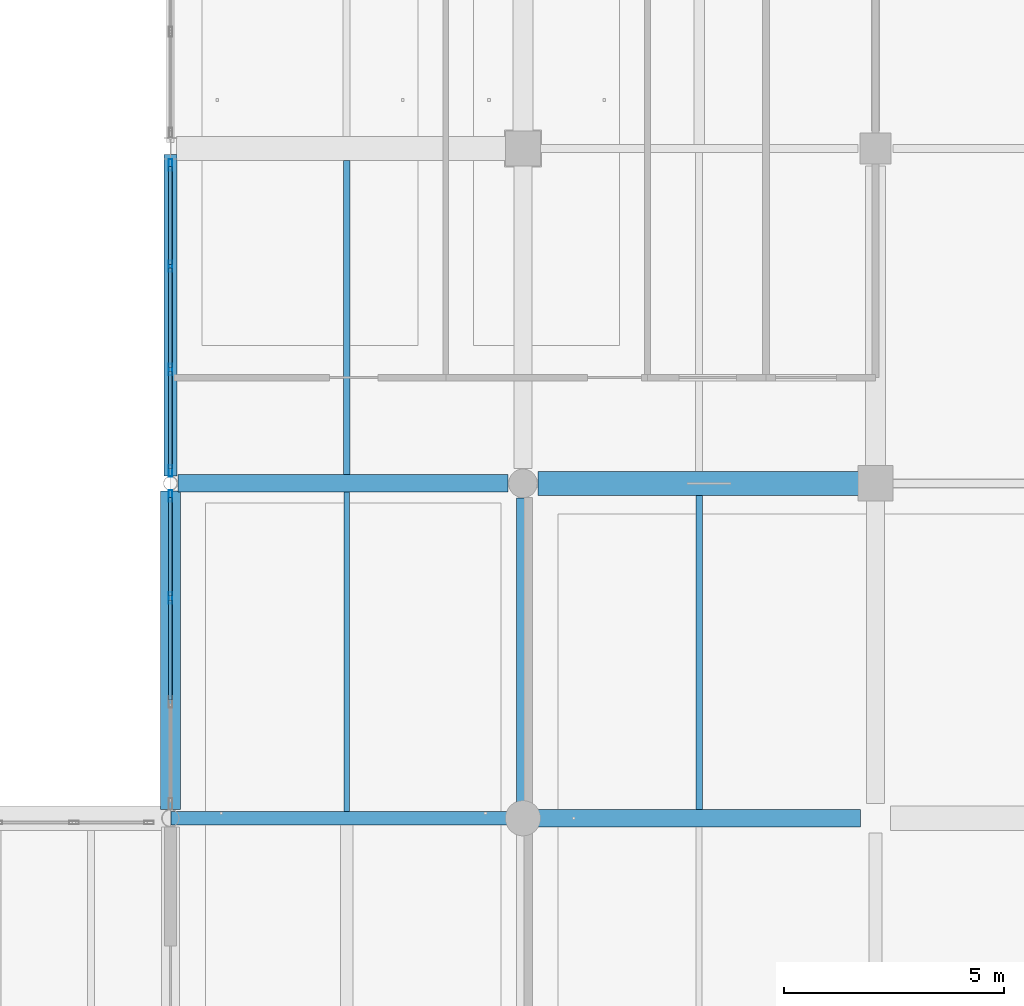
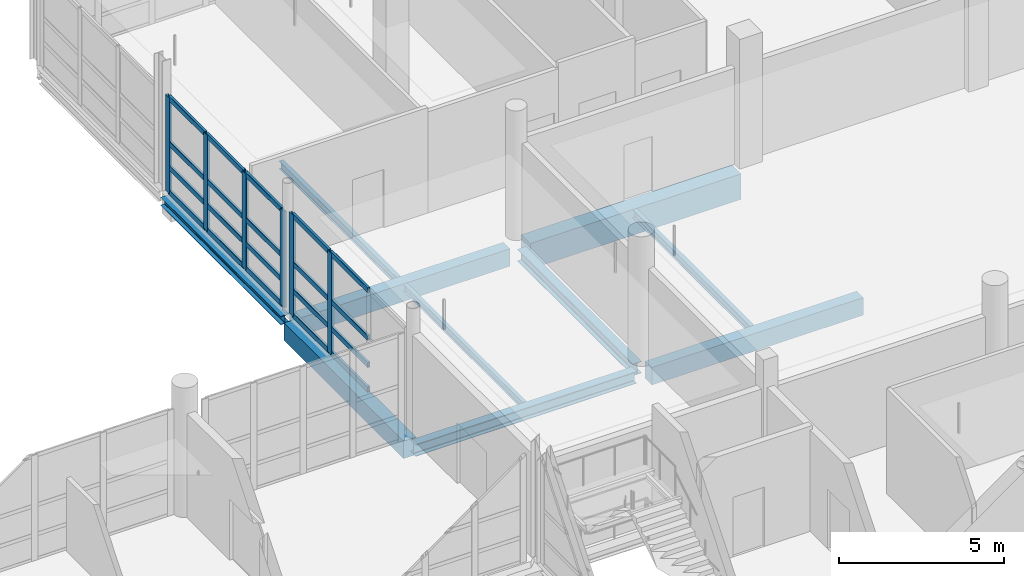
# One storey, part 48 of 141: 26 members, 10 beams, 2 elements without a shape of their own.
"""IFC4 building model written with IfcOpenShell, lengths in metres."""

from ifc_helpers import new_model, si_unit, direction, frame, origin, origin_2d, place, context, subcontext, project, spatial, rectangle, hollow_rectangle, i_section, extrude, material, material_profile, profile_set, type_object, element, aggregate, save


model = new_model("IFC4")

# Units and contexts
model_context = context("Model", 3, precision=1e-05, world=origin(), true_north=direction((0.0, 1.0)))
body_context = subcontext(model_context, "Body", "Model", "MODEL_VIEW")
ifc_project = project(units=[si_unit("LENGTHUNIT", "METRE"), si_unit("AREAUNIT", "SQUARE_METRE"), si_unit("VOLUMEUNIT", "CUBIC_METRE"), si_unit("PLANEANGLEUNIT", "RADIAN"), si_unit("MASSUNIT", "GRAM", prefix="KILO")], contexts=[model_context])

# Site, building, storey
site_placement = place(None, origin())
site = spatial("IfcSite", under=ifc_project, at=site_placement, CompositionType="ELEMENT")
building_placement = place(site_placement, origin())
building = spatial("IfcBuilding", under=site, at=building_placement, Name="Khelvaren Railside Concert Hall", CompositionType="ELEMENT")
storey_placement = place(building_placement, frame((0.0, 0.0, 10.199951171875)))
storey = spatial("IfcBuildingStorey", under=building, at=storey_placement, Name="L02", CompositionType="ELEMENT", Elevation=10.199951171875)

# Beams
ifc_material_1 = material(Name="Concrete C40/50", Category="concrete")
ifc_material_profile_1 = material_profile(ifc_material_1, rectangle(XDim=0.39990234375, YDim=0.64990234375, at=origin_2d()), Name="RCB 400x650")
ifc_profile_set_1 = profile_set([ifc_material_profile_1], Name="Concrete C40/50")
beam_type_1 = type_object("IfcBeamType", Name="BM33", PredefinedType="BEAM", material=ifc_profile_set_1)
beam_1_placement = place(storey_placement, frame((152.25, 15.199951171875, -0.614990234375), z_axis=(1.0, 0.0, 0.0), x_axis=(0.0, 1.0, 0.0)))
element("IfcBeam", 1, at=beam_1_placement, inside=storey, type_object=beam_type_1, Name="V2 L02 Beam X3.2", PredefinedType="BEAM", context=body_context, shape_type="SweptSolid", body=[
    extrude(rectangle(XDim=0.39990234375, YDim=0.64990234375, at=origin_2d()), origin(), (0.0, 0.0, 1.0), 7.4140625),
])
beam_2_placement = place(storey_placement, frame((144.170654296875, 22.800048828125, -0.614990234375), z_axis=(1.0, 0.0, 0.0), x_axis=(0.0, 1.0, 0.0)))
element("IfcBeam", 2, at=beam_2_placement, inside=storey, type_object=beam_type_1, Name="V2 L02 Beam X4.1", PredefinedType="BEAM", context=body_context, shape_type="SweptSolid", body=[
    extrude(rectangle(XDim=0.39990234375, YDim=0.64990234375, at=origin_2d()), origin(), (0.0, 0.0, 1.0), 7.493408203125),
])
ifc_material_2 = material(Name="Steel S355", Category="steel")
ifc_material_profile_2 = material_profile(ifc_material_2, i_section(OverallWidth=0.300048828125, OverallDepth=0.43994140625, WebThickness=0.011474609375, FlangeThickness=0.02099609375, FilletRadius=0.027099609375, at=origin_2d()), Name="HEA 450")
ifc_profile_set_2 = profile_set([ifc_material_profile_2], Name="Steel S355")
beam_type_2 = type_object("IfcBeamType", Name="BM89", PredefinedType="BEAM", material=ifc_profile_set_2)
beam_3_placement = place(storey_placement, frame((144.010009765625, 15.199951171875, -0.510009765625), z_axis=(1.0, 0.0, 0.0), x_axis=(0.0, 1.0, 0.0)))
element("IfcBeam", 3, at=beam_3_placement, inside=storey, type_object=beam_type_2, Name="V2 L02 Beam X3.1", PredefinedType="BEAM", context=body_context, shape_type="SweptSolid", body=[
    extrude(i_section(OverallWidth=0.300048828125, OverallDepth=0.43994140625, WebThickness=0.011474609375, FlangeThickness=0.02099609375, FilletRadius=0.027099609375, at=origin_2d()), origin(), (0.0, 0.0, 1.0), 7.739990234375),
])
beam_4_placement = place(storey_placement, frame((152.0, 15.449951171875, -0.510009765625), z_axis=(0.0, 1.0, 0.0), x_axis=(-1.0, 0.0, 0.0)))
element("IfcBeam", 4, at=beam_4_placement, inside=storey, type_object=beam_type_2, Name="V2 L02 Beam Y2.3", PredefinedType="BEAM", context=body_context, shape_type="SweptSolid", body=[
    extrude(i_section(OverallWidth=0.300048828125, OverallDepth=0.43994140625, WebThickness=0.011474609375, FlangeThickness=0.02099609375, FilletRadius=0.027099609375, at=origin_2d()), origin(), (0.0, 0.0, 1.0), 7.01416015625),
])

# Curtain wall, members
ifc_material_3 = material(Name="Acoustic laminated crystal facade glass", Category="glass")
curtain_wall_type_1 = type_object("IfcCurtainWallType", Name="CW54", PredefinedType="USERDEFINED", material=ifc_material_3)
curtain_wall_1_placement = place(storey_placement, origin())
curtain_wall_1 = element("IfcCurtainWall", 5, at=curtain_wall_1_placement, inside=storey, type_object=curtain_wall_type_1, Name="Unitised Curtain Wall CW-V2-L02-W-15", ObjectType="UNITISED CURTAIN WALL", PredefinedType="USERDEFINED")
ifc_material_4 = material(Name="Anodised architectural aluminium 6063-T6", Category="aluminium")
ifc_material_profile_3 = material_profile(ifc_material_4, hollow_rectangle(XDim=0.0849609375, YDim=0.260009765625, WallThickness=0.0048828125, InnerFilletRadius=0.0029296875, OuterFilletRadius=0.0048828125, at=origin_2d()), Name="CWM 85x260x5")
ifc_profile_set_3 = profile_set([ifc_material_profile_3], Name="Anodised architectural aluminium 6063-T6")
member_type_1 = type_object("IfcMemberType", Name="CWM40", PredefinedType="MULLION", material=ifc_profile_set_3)
member_1_placement = place(storey_placement, frame((144.0, 20.20068359375, 0.0), z_axis=(0.0, 0.0, 1.0), x_axis=(-1.0, 0.0, 0.0)))
member_1 = element("IfcMember", 6, at=member_1_placement, type_object=member_type_1, Name="CW54 mullion 3", PredefinedType="MULLION", context=body_context, shape_type="SweptSolid", body=[
    extrude(hollow_rectangle(XDim=0.0849609375, YDim=0.260009765625, WallThickness=0.0048828125, InnerFilletRadius=0.0029296875, OuterFilletRadius=0.0048828125, at=origin_2d()), origin(), (0.0, 0.0, 1.0), 3.760009765625),
])
member_2_placement = place(storey_placement, frame((144.0, 22.51806640625, 0.0), z_axis=(0.0, 0.0, 1.0), x_axis=(-1.0, 0.0, 0.0)))
member_2 = element("IfcMember", 7, at=member_2_placement, type_object=member_type_1, Name="CW54 mullion 4", PredefinedType="MULLION", context=body_context, shape_type="SweptSolid", body=[
    extrude(hollow_rectangle(XDim=0.0849609375, YDim=0.260009765625, WallThickness=0.0048828125, InnerFilletRadius=0.0029296875, OuterFilletRadius=0.0048828125, at=origin_2d()), origin(), (0.0, 0.0, 1.0), 3.760009765625),
])

curtain_wall_type_2 = type_object("IfcCurtainWallType", Name="CW66", PredefinedType="USERDEFINED", material=ifc_material_3)
curtain_wall_2_placement = place(storey_placement, origin())
curtain_wall_2 = element("IfcCurtainWall", 8, at=curtain_wall_2_placement, inside=storey, type_object=curtain_wall_type_2, Name="Unitised Curtain Wall CW-V2-L02-W-23", ObjectType="UNITISED CURTAIN WALL", PredefinedType="USERDEFINED")
member_3_placement = place(storey_placement, frame((144.0, 23.08203125, 0.0), z_axis=(0.0, 0.0, 1.0), x_axis=(-1.0, 0.0, 0.0)))
member_3 = element("IfcMember", 9, at=member_3_placement, type_object=member_type_1, Name="CW66 mullion 1", PredefinedType="MULLION", context=body_context, shape_type="SweptSolid", body=[
    extrude(hollow_rectangle(XDim=0.0849609375, YDim=0.260009765625, WallThickness=0.0048828125, InnerFilletRadius=0.0029296875, OuterFilletRadius=0.0048828125, at=origin_2d()), origin(), (0.0, 0.0, 1.0), 3.56005859375),
])
member_4_placement = place(storey_placement, frame((144.0, 25.3837890625, 0.0), z_axis=(0.0, 0.0, 1.0), x_axis=(-1.0, 0.0, 0.0)))
member_4 = element("IfcMember", 10, at=member_4_placement, type_object=member_type_1, Name="CW66 mullion 2", PredefinedType="MULLION", context=body_context, shape_type="SweptSolid", body=[
    extrude(hollow_rectangle(XDim=0.0849609375, YDim=0.260009765625, WallThickness=0.0048828125, InnerFilletRadius=0.0029296875, OuterFilletRadius=0.0048828125, at=origin_2d()), origin(), (0.0, 0.0, 1.0), 3.56005859375),
])
member_5_placement = place(storey_placement, frame((144.0, 27.728271484375, 0.0), z_axis=(0.0, 0.0, 1.0), x_axis=(-1.0, 0.0, 0.0)))
member_5 = element("IfcMember", 11, at=member_5_placement, type_object=member_type_1, Name="CW66 mullion 3", PredefinedType="MULLION", context=body_context, shape_type="SweptSolid", body=[
    extrude(hollow_rectangle(XDim=0.0849609375, YDim=0.260009765625, WallThickness=0.0048828125, InnerFilletRadius=0.0029296875, OuterFilletRadius=0.0048828125, at=origin_2d()), origin(), (0.0, 0.0, 1.0), 3.56005859375),
])
member_6_placement = place(storey_placement, frame((144.0, 30.030029296875, 0.0), z_axis=(0.0, 0.0, 1.0), x_axis=(-1.0, 0.0, 0.0)))
member_6 = element("IfcMember", 12, at=member_6_placement, type_object=member_type_1, Name="CW66 mullion 4", PredefinedType="MULLION", context=body_context, shape_type="SweptSolid", body=[
    extrude(hollow_rectangle(XDim=0.0849609375, YDim=0.260009765625, WallThickness=0.0048828125, InnerFilletRadius=0.0029296875, OuterFilletRadius=0.0048828125, at=origin_2d()), origin(), (0.0, 0.0, 1.0), 3.56005859375),
])

# Member
ifc_material_profile_4 = material_profile(ifc_material_4, hollow_rectangle(XDim=0.0849609375, YDim=0.18994140625, WallThickness=0.0048828125, InnerFilletRadius=0.0029296875, OuterFilletRadius=0.0048828125, at=origin_2d()), Name="CWT 85x190x5")
ifc_profile_set_4 = profile_set([ifc_material_profile_4], Name="Anodised architectural aluminium 6063-T6")
member_type_2 = type_object("IfcMemberType", Name="CWT31", PredefinedType="USERDEFINED", material=ifc_profile_set_4)
member_7_placement = place(storey_placement, frame((144.0, 17.883056640625, 0.04248046875), z_axis=(0.0, 1.0, 0.0), x_axis=(-1.0, 0.0, 0.0)))
member_7 = element("IfcMember", 13, at=member_7_placement, type_object=member_type_2, Name="CW54 transom 2.1", ObjectType="TRANSOM", PredefinedType="USERDEFINED", context=body_context, shape_type="SweptSolid", body=[
    extrude(hollow_rectangle(XDim=0.0849609375, YDim=0.18994140625, WallThickness=0.0048828125, InnerFilletRadius=0.0029296875, OuterFilletRadius=0.0048828125, at=origin_2d()), origin(), (0.0, 0.0, 1.0), 2.27490234375),
])

member_8_placement = place(storey_placement, frame((144.0, 17.883056640625, 0.949951171875), z_axis=(0.0, 1.0, 0.0), x_axis=(-1.0, 0.0, 0.0)))
member_8 = element("IfcMember", 14, at=member_8_placement, type_object=member_type_2, Name="CW54 transom 2.2", ObjectType="TRANSOM", PredefinedType="USERDEFINED", context=body_context, shape_type="SweptSolid", body=[
    extrude(hollow_rectangle(XDim=0.0849609375, YDim=0.18994140625, WallThickness=0.0048828125, InnerFilletRadius=0.0029296875, OuterFilletRadius=0.0048828125, at=origin_2d()), origin(), (0.0, 0.0, 1.0), 2.27490234375),
])

member_9_placement = place(storey_placement, frame((144.0, 17.883056640625, 1.955322265625), z_axis=(0.0, 1.0, 0.0), x_axis=(-1.0, 0.0, 0.0)))
member_9 = element("IfcMember", 15, at=member_9_placement, type_object=member_type_2, Name="CW54 transom 2.3", ObjectType="TRANSOM", PredefinedType="USERDEFINED", context=body_context, shape_type="SweptSolid", body=[
    extrude(hollow_rectangle(XDim=0.0849609375, YDim=0.18994140625, WallThickness=0.0048828125, InnerFilletRadius=0.0029296875, OuterFilletRadius=0.0048828125, at=origin_2d()), origin(), (0.0, 0.0, 1.0), 2.27490234375),
])

member_10_placement = place(storey_placement, frame((144.0, 17.883056640625, 3.717529296875), z_axis=(0.0, 1.0, 0.0), x_axis=(-1.0, 0.0, 0.0)))
member_10 = element("IfcMember", 16, at=member_10_placement, type_object=member_type_2, Name="CW54 transom 2.4", ObjectType="TRANSOM", PredefinedType="USERDEFINED", context=body_context, shape_type="SweptSolid", body=[
    extrude(hollow_rectangle(XDim=0.0849609375, YDim=0.18994140625, WallThickness=0.0048828125, InnerFilletRadius=0.0029296875, OuterFilletRadius=0.0048828125, at=origin_2d()), origin(), (0.0, 0.0, 1.0), 2.27490234375),
])

member_11_placement = place(storey_placement, frame((144.0, 20.2431640625, 0.04248046875), z_axis=(0.0, 1.0, 0.0), x_axis=(-1.0, 0.0, 0.0)))
member_11 = element("IfcMember", 17, at=member_11_placement, type_object=member_type_2, Name="CW54 transom 3.1", ObjectType="TRANSOM", PredefinedType="USERDEFINED", context=body_context, shape_type="SweptSolid", body=[
    extrude(hollow_rectangle(XDim=0.0849609375, YDim=0.18994140625, WallThickness=0.0048828125, InnerFilletRadius=0.0029296875, OuterFilletRadius=0.0048828125, at=origin_2d()), origin(), (0.0, 0.0, 1.0), 2.232421875),
])

member_12_placement = place(storey_placement, frame((144.0, 20.2431640625, 0.949951171875), z_axis=(0.0, 1.0, 0.0), x_axis=(-1.0, 0.0, 0.0)))
member_12 = element("IfcMember", 18, at=member_12_placement, type_object=member_type_2, Name="CW54 transom 3.2", ObjectType="TRANSOM", PredefinedType="USERDEFINED", context=body_context, shape_type="SweptSolid", body=[
    extrude(hollow_rectangle(XDim=0.0849609375, YDim=0.18994140625, WallThickness=0.0048828125, InnerFilletRadius=0.0029296875, OuterFilletRadius=0.0048828125, at=origin_2d()), origin(), (0.0, 0.0, 1.0), 2.232421875),
])

member_13_placement = place(storey_placement, frame((144.0, 20.2431640625, 1.955322265625), z_axis=(0.0, 1.0, 0.0), x_axis=(-1.0, 0.0, 0.0)))
member_13 = element("IfcMember", 19, at=member_13_placement, type_object=member_type_2, Name="CW54 transom 3.3", ObjectType="TRANSOM", PredefinedType="USERDEFINED", context=body_context, shape_type="SweptSolid", body=[
    extrude(hollow_rectangle(XDim=0.0849609375, YDim=0.18994140625, WallThickness=0.0048828125, InnerFilletRadius=0.0029296875, OuterFilletRadius=0.0048828125, at=origin_2d()), origin(), (0.0, 0.0, 1.0), 2.232421875),
])

member_14_placement = place(storey_placement, frame((144.0, 20.2431640625, 3.717529296875), z_axis=(0.0, 1.0, 0.0), x_axis=(-1.0, 0.0, 0.0)))
member_14 = element("IfcMember", 20, at=member_14_placement, type_object=member_type_2, Name="CW54 transom 3.4", ObjectType="TRANSOM", PredefinedType="USERDEFINED", context=body_context, shape_type="SweptSolid", body=[
    extrude(hollow_rectangle(XDim=0.0849609375, YDim=0.18994140625, WallThickness=0.0048828125, InnerFilletRadius=0.0029296875, OuterFilletRadius=0.0048828125, at=origin_2d()), origin(), (0.0, 0.0, 1.0), 2.232421875),
])

aggregate(curtain_wall_1, [member_1, member_2, member_7, member_8, member_9, member_10, member_11, member_12, member_13, member_14])

member_15_placement = place(storey_placement, frame((144.0, 23.12451171875, 0.04248046875), z_axis=(0.0, 1.0, 0.0), x_axis=(-1.0, 0.0, 0.0)))
member_15 = element("IfcMember", 21, at=member_15_placement, type_object=member_type_2, Name="CW66 transom 1.1", ObjectType="TRANSOM", PredefinedType="USERDEFINED", context=body_context, shape_type="SweptSolid", body=[
    extrude(hollow_rectangle(XDim=0.0849609375, YDim=0.18994140625, WallThickness=0.0048828125, InnerFilletRadius=0.0029296875, OuterFilletRadius=0.0048828125, at=origin_2d()), origin(), (0.0, 0.0, 1.0), 2.216796875),
])

member_16_placement = place(storey_placement, frame((144.0, 23.12451171875, 0.949951171875), z_axis=(0.0, 1.0, 0.0), x_axis=(-1.0, 0.0, 0.0)))
member_16 = element("IfcMember", 22, at=member_16_placement, type_object=member_type_2, Name="CW66 transom 1.2", ObjectType="TRANSOM", PredefinedType="USERDEFINED", context=body_context, shape_type="SweptSolid", body=[
    extrude(hollow_rectangle(XDim=0.0849609375, YDim=0.18994140625, WallThickness=0.0048828125, InnerFilletRadius=0.0029296875, OuterFilletRadius=0.0048828125, at=origin_2d()), origin(), (0.0, 0.0, 1.0), 2.216796875),
])

member_17_placement = place(storey_placement, frame((144.0, 23.12451171875, 1.851318359375), z_axis=(0.0, 1.0, 0.0), x_axis=(-1.0, 0.0, 0.0)))
member_17 = element("IfcMember", 23, at=member_17_placement, type_object=member_type_2, Name="CW66 transom 1.3", ObjectType="TRANSOM", PredefinedType="USERDEFINED", context=body_context, shape_type="SweptSolid", body=[
    extrude(hollow_rectangle(XDim=0.0849609375, YDim=0.18994140625, WallThickness=0.0048828125, InnerFilletRadius=0.0029296875, OuterFilletRadius=0.0048828125, at=origin_2d()), origin(), (0.0, 0.0, 1.0), 2.216796875),
])

member_18_placement = place(storey_placement, frame((144.0, 23.12451171875, 3.517578125), z_axis=(0.0, 1.0, 0.0), x_axis=(-1.0, 0.0, 0.0)))
member_18 = element("IfcMember", 24, at=member_18_placement, type_object=member_type_2, Name="CW66 transom 1.4", ObjectType="TRANSOM", PredefinedType="USERDEFINED", context=body_context, shape_type="SweptSolid", body=[
    extrude(hollow_rectangle(XDim=0.0849609375, YDim=0.18994140625, WallThickness=0.0048828125, InnerFilletRadius=0.0029296875, OuterFilletRadius=0.0048828125, at=origin_2d()), origin(), (0.0, 0.0, 1.0), 2.216796875),
])

member_19_placement = place(storey_placement, frame((144.0, 25.42626953125, 0.04248046875), z_axis=(0.0, 1.0, 0.0), x_axis=(-1.0, 0.0, 0.0)))
member_19 = element("IfcMember", 25, at=member_19_placement, type_object=member_type_2, Name="CW66 transom 2.1", ObjectType="TRANSOM", PredefinedType="USERDEFINED", context=body_context, shape_type="SweptSolid", body=[
    extrude(hollow_rectangle(XDim=0.0849609375, YDim=0.18994140625, WallThickness=0.0048828125, InnerFilletRadius=0.0029296875, OuterFilletRadius=0.0048828125, at=origin_2d()), origin(), (0.0, 0.0, 1.0), 2.25927734375),
])

member_20_placement = place(storey_placement, frame((144.0, 25.42626953125, 0.949951171875), z_axis=(0.0, 1.0, 0.0), x_axis=(-1.0, 0.0, 0.0)))
member_20 = element("IfcMember", 26, at=member_20_placement, type_object=member_type_2, Name="CW66 transom 2.2", ObjectType="TRANSOM", PredefinedType="USERDEFINED", context=body_context, shape_type="SweptSolid", body=[
    extrude(hollow_rectangle(XDim=0.0849609375, YDim=0.18994140625, WallThickness=0.0048828125, InnerFilletRadius=0.0029296875, OuterFilletRadius=0.0048828125, at=origin_2d()), origin(), (0.0, 0.0, 1.0), 2.25927734375),
])

member_21_placement = place(storey_placement, frame((144.0, 25.42626953125, 1.851318359375), z_axis=(0.0, 1.0, 0.0), x_axis=(-1.0, 0.0, 0.0)))
member_21 = element("IfcMember", 27, at=member_21_placement, type_object=member_type_2, Name="CW66 transom 2.3", ObjectType="TRANSOM", PredefinedType="USERDEFINED", context=body_context, shape_type="SweptSolid", body=[
    extrude(hollow_rectangle(XDim=0.0849609375, YDim=0.18994140625, WallThickness=0.0048828125, InnerFilletRadius=0.0029296875, OuterFilletRadius=0.0048828125, at=origin_2d()), origin(), (0.0, 0.0, 1.0), 2.25927734375),
])

member_22_placement = place(storey_placement, frame((144.0, 25.42626953125, 3.517578125), z_axis=(0.0, 1.0, 0.0), x_axis=(-1.0, 0.0, 0.0)))
member_22 = element("IfcMember", 28, at=member_22_placement, type_object=member_type_2, Name="CW66 transom 2.4", ObjectType="TRANSOM", PredefinedType="USERDEFINED", context=body_context, shape_type="SweptSolid", body=[
    extrude(hollow_rectangle(XDim=0.0849609375, YDim=0.18994140625, WallThickness=0.0048828125, InnerFilletRadius=0.0029296875, OuterFilletRadius=0.0048828125, at=origin_2d()), origin(), (0.0, 0.0, 1.0), 2.25927734375),
])

member_23_placement = place(storey_placement, frame((144.0, 27.770751953125, 0.04248046875), z_axis=(0.0, 1.0, 0.0), x_axis=(-1.0, 0.0, 0.0)))
member_23 = element("IfcMember", 29, at=member_23_placement, type_object=member_type_2, Name="CW66 transom 3.1", ObjectType="TRANSOM", PredefinedType="USERDEFINED", context=body_context, shape_type="SweptSolid", body=[
    extrude(hollow_rectangle(XDim=0.0849609375, YDim=0.18994140625, WallThickness=0.0048828125, InnerFilletRadius=0.0029296875, OuterFilletRadius=0.0048828125, at=origin_2d()), origin(), (0.0, 0.0, 1.0), 2.216796875),
])

member_24_placement = place(storey_placement, frame((144.0, 27.770751953125, 0.949951171875), z_axis=(0.0, 1.0, 0.0), x_axis=(-1.0, 0.0, 0.0)))
member_24 = element("IfcMember", 30, at=member_24_placement, type_object=member_type_2, Name="CW66 transom 3.2", ObjectType="TRANSOM", PredefinedType="USERDEFINED", context=body_context, shape_type="SweptSolid", body=[
    extrude(hollow_rectangle(XDim=0.0849609375, YDim=0.18994140625, WallThickness=0.0048828125, InnerFilletRadius=0.0029296875, OuterFilletRadius=0.0048828125, at=origin_2d()), origin(), (0.0, 0.0, 1.0), 2.216796875),
])

member_25_placement = place(storey_placement, frame((144.0, 27.770751953125, 1.851318359375), z_axis=(0.0, 1.0, 0.0), x_axis=(-1.0, 0.0, 0.0)))
member_25 = element("IfcMember", 31, at=member_25_placement, type_object=member_type_2, Name="CW66 transom 3.3", ObjectType="TRANSOM", PredefinedType="USERDEFINED", context=body_context, shape_type="SweptSolid", body=[
    extrude(hollow_rectangle(XDim=0.0849609375, YDim=0.18994140625, WallThickness=0.0048828125, InnerFilletRadius=0.0029296875, OuterFilletRadius=0.0048828125, at=origin_2d()), origin(), (0.0, 0.0, 1.0), 2.216796875),
])

member_26_placement = place(storey_placement, frame((144.0, 27.770751953125, 3.517578125), z_axis=(0.0, 1.0, 0.0), x_axis=(-1.0, 0.0, 0.0)))
member_26 = element("IfcMember", 32, at=member_26_placement, type_object=member_type_2, Name="CW66 transom 3.4", ObjectType="TRANSOM", PredefinedType="USERDEFINED", context=body_context, shape_type="SweptSolid", body=[
    extrude(hollow_rectangle(XDim=0.0849609375, YDim=0.18994140625, WallThickness=0.0048828125, InnerFilletRadius=0.0029296875, OuterFilletRadius=0.0048828125, at=origin_2d()), origin(), (0.0, 0.0, 1.0), 2.216796875),
])

aggregate(curtain_wall_2, [member_3, member_4, member_5, member_6, member_15, member_16, member_17, member_18, member_19, member_20, member_21, member_22, member_23, member_24, member_25, member_26])

# Beams
ifc_material_profile_5 = material_profile(ifc_material_1, rectangle(XDim=0.550048828125, YDim=0.949951171875, at=origin_2d()), Name="RCB 550x950")
ifc_profile_set_5 = profile_set([ifc_material_profile_5], Name="Concrete C40/50")
beam_type_3 = type_object("IfcBeamType", Name="GR57", PredefinedType="T_BEAM", material=ifc_profile_set_5)
beam_5_placement = place(storey_placement, frame((152.3359375, 22.800048828125, -0.764892578125), z_axis=(1.0, 0.0, 0.0), x_axis=(0.0, 1.0, 0.0)))
element("IfcBeam", 33, at=beam_5_placement, inside=storey, type_object=beam_type_3, Name="V2 L02 T_Beam X4.2", PredefinedType="T_BEAM", context=body_context, shape_type="SweptSolid", body=[
    extrude(rectangle(XDim=0.550048828125, YDim=0.949951171875, at=origin_2d()), origin(), (0.0, 0.0, 1.0), 7.39111328125),
])
ifc_material_profile_6 = material_profile(ifc_material_2, i_section(OverallWidth=0.14990234375, OverallDepth=0.300048828125, WebThickness=0.007080078125, FlangeThickness=0.0107421875, FilletRadius=0.014892578125, at=origin_2d()), Name="IPE 300")
ifc_profile_set_6 = profile_set([ifc_material_profile_6], Name="Steel S355")
beam_type_4 = type_object("IfcBeamType", Name="JS26", PredefinedType="JOIST", material=ifc_profile_set_6)
for number, where, z_axis, x_axis, name in (
    (34, (148.0, 23.0, -0.43994140625), (0.0, 1.0, 0.0), (-1.0, 0.0, 0.0), "V2 L02 Secondary Joist 1.4"),
    (35, (156.0, 15.39990234375, -0.43994140625), (0.0, 1.0, 0.0), (-1.0, 0.0, 0.0), "V2 L02 Secondary Joist 2.3"),
):
    element("IfcBeam", number, at=place(storey_placement, frame(where, z_axis=z_axis, x_axis=x_axis)), inside=storey, type_object=beam_type_4, Name=name, PredefinedType="JOIST", context=body_context, shape_type="SweptSolid", body=[
        extrude(i_section(OverallWidth=0.14990234375, OverallDepth=0.300048828125, WebThickness=0.007080078125, FlangeThickness=0.0107421875, FilletRadius=0.014892578125, at=origin_2d()), origin(), (0.0, 0.0, 1.0), 7.125),
    ])
ifc_material_profile_7 = material_profile(ifc_material_2, i_section(OverallWidth=0.135009765625, OverallDepth=0.27001953125, WebThickness=0.006591796875, FlangeThickness=0.01025390625, FilletRadius=0.014892578125, at=origin_2d()), Name="IPE 270")
ifc_profile_set_7 = profile_set([ifc_material_profile_7], Name="Steel S355")
beam_type_5 = type_object("IfcBeamType", Name="JS78", PredefinedType="JOIST", material=ifc_profile_set_7)
beam_6_placement = place(storey_placement, frame((148.0, 15.35009765625, -0.425048828125), z_axis=(0.0, 1.0, 0.0), x_axis=(-1.0, 0.0, 0.0)))
element("IfcBeam", 36, at=beam_6_placement, inside=storey, type_object=beam_type_5, Name="V2 L02 Secondary Joist 1.3", PredefinedType="JOIST", context=body_context, shape_type="SweptSolid", body=[
    extrude(i_section(OverallWidth=0.135009765625, OverallDepth=0.27001953125, WebThickness=0.006591796875, FlangeThickness=0.01025390625, FilletRadius=0.014892578125, at=origin_2d()), origin(), (0.0, 0.0, 1.0), 7.25),
])
ifc_material_profile_8 = material_profile(ifc_material_1, rectangle(XDim=0.449951171875, YDim=0.64990234375, at=origin_2d()), Name="RCB 450x650")
ifc_profile_set_8 = profile_set([ifc_material_profile_8], Name="Concrete C40/50")
beam_type_6 = type_object("IfcBeamType", Name="SP34", PredefinedType="SPANDREL", material=ifc_profile_set_8)
beam_7_placement = place(storey_placement, frame((144.0, 15.39501953125, -0.614990234375), z_axis=(0.0, 1.0, 0.0), x_axis=(-1.0, 0.0, 0.0)))
element("IfcBeam", 37, at=beam_7_placement, inside=storey, type_object=beam_type_6, Name="V2 L02 Spandrel Y1.3", PredefinedType="SPANDREL", context=body_context, shape_type="SweptSolid", body=[
    extrude(rectangle(XDim=0.449951171875, YDim=0.64990234375, at=origin_2d()), origin(), (0.0, 0.0, 1.0), 7.234375),
])
ifc_material_profile_9 = material_profile(ifc_material_2, i_section(OverallWidth=0.300048828125, OverallDepth=0.31005859375, WebThickness=0.009033203125, FlangeThickness=0.015380859375, FilletRadius=0.027099609375, at=origin_2d()), Name="HEA 320")
ifc_profile_set_9 = profile_set([ifc_material_profile_9], Name="Steel S355")
beam_type_7 = type_object("IfcBeamType", Name="SP66", PredefinedType="SPANDREL", material=ifc_profile_set_9)
beam_8_placement = place(storey_placement, frame((144.0, 22.970703125, -0.445068359375), z_axis=(0.0, 1.0, 0.0), x_axis=(-1.0, 0.0, 0.0)))
element("IfcBeam", 38, at=beam_8_placement, inside=storey, type_object=beam_type_7, Name="V2 L02 Spandrel Y1.4", PredefinedType="SPANDREL", context=body_context, shape_type="SweptSolid", body=[
    extrude(i_section(OverallWidth=0.300048828125, OverallDepth=0.31005859375, WebThickness=0.009033203125, FlangeThickness=0.015380859375, FilletRadius=0.027099609375, at=origin_2d()), origin(), (0.0, 0.0, 1.0), 7.293212890625),
])

save(model, "model.ifc")
